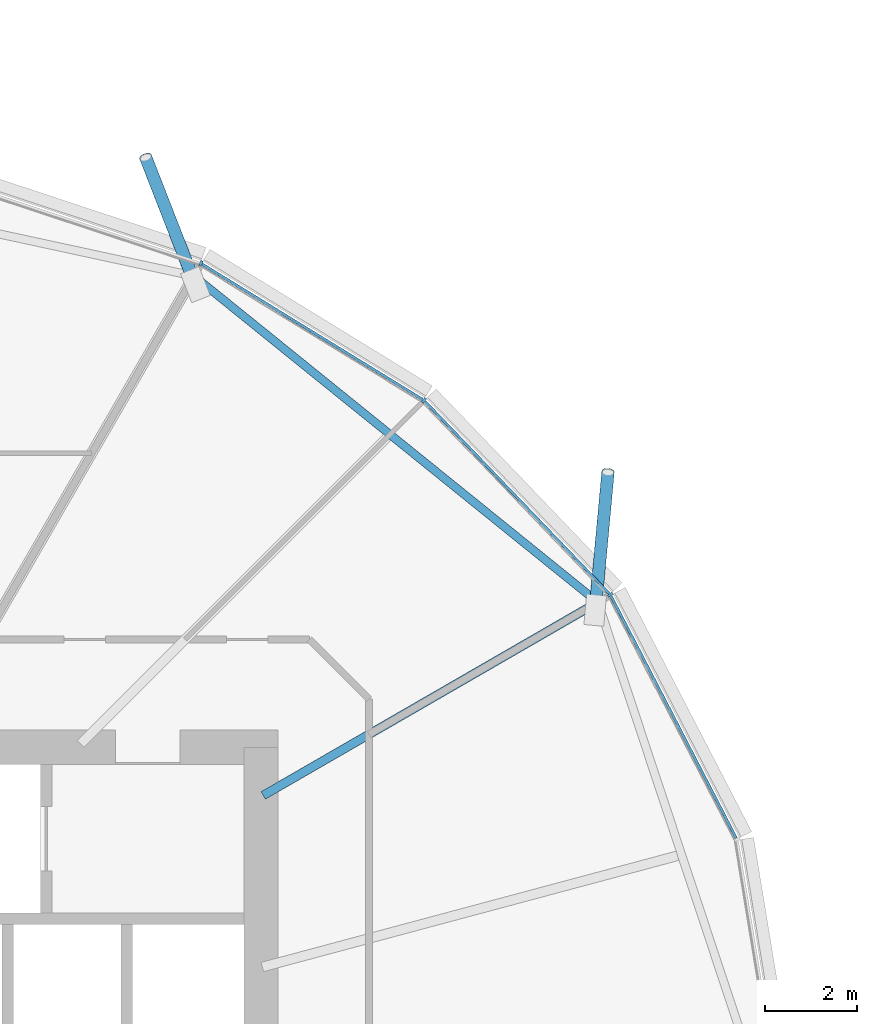
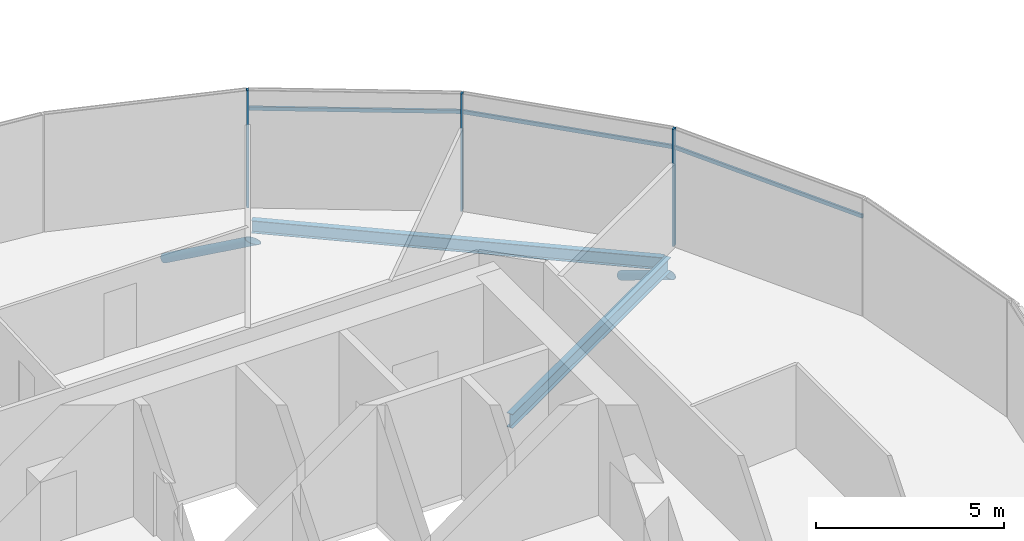
# One storey, part 11 of 39: 8 members, 2 beams, 1 element without a shape of its own.
"""IFC4 building model written with IfcOpenShell, lengths in metres."""

from ifc_helpers import new_model, si_unit, direction, frame, origin, origin_2d, place, context, subcontext, project, spatial, rectangle, hollow_circle, i_section, extrude, clip, halfspace, material, material_profile, profile_set, type_object, element, aggregate, save


model = new_model("IFC4")

# Units and contexts
model_context = context("Model", 3, precision=1e-05, world=origin(), true_north=direction((0.0, 1.0)))
body_context = subcontext(model_context, "Body", "Model", "MODEL_VIEW")
ifc_project = project(units=[si_unit("LENGTHUNIT", "METRE"), si_unit("AREAUNIT", "SQUARE_METRE"), si_unit("VOLUMEUNIT", "CUBIC_METRE"), si_unit("PLANEANGLEUNIT", "RADIAN"), si_unit("MASSUNIT", "GRAM", prefix="KILO")], contexts=[model_context])

# Site, building, storey
site_placement = place(None, origin())
site = spatial("IfcSite", under=ifc_project, at=site_placement, CompositionType="ELEMENT")
building_placement = place(site_placement, origin())
building = spatial("IfcBuilding", under=site, at=building_placement, Name="Rimbun Link Towers", CompositionType="ELEMENT")
storey_placement = place(building_placement, frame((0.0, 0.0, 112.0)))
storey = spatial("IfcBuildingStorey", under=building, at=storey_placement, Name="L27", CompositionType="ELEMENT", Elevation=112.0)

# Curtain wall, members
ifc_material_1 = material(Name="Aluminium 6063-T6 and low-iron glass", Category="aluminium")
curtain_wall_type = type_object("IfcCurtainWallType", Name="CW1-Z2 unitised vision wall (zone 2)", PredefinedType="NOTDEFINED", material=ifc_material_1)
curtain_wall_placement = place(storey_placement, origin())
curtain_wall = element("IfcCurtainWall", 1, at=curtain_wall_placement, inside=storey, type_object=curtain_wall_type, Name="CW1 L27 T1", PredefinedType="NOTDEFINED")
ifc_material_2 = material(Name="Aluminium 6063-T6", Category="aluminium")
ifc_material_profile_1 = material_profile(ifc_material_2, rectangle(XDim=0.1201171875, YDim=0.06005859375, at=origin_2d()), Name="MULLION 60X120")
ifc_profile_set_1 = profile_set([ifc_material_profile_1], Name="Aluminium 6063-T6")
member_type_1 = type_object("IfcMemberType", Name="CW1 mullion 60X120", PredefinedType="MULLION", material=ifc_profile_set_1)
member_1_placement = place(storey_placement, frame((-12.14990234375, 11.32275390625, 0.0), z_axis=(0.0, 0.0, 1.0), x_axis=(0.813347457753, 0.581778233494, 0.0)))
member_1 = element("IfcMember", 2, at=member_1_placement, type_object=member_type_1, Name="CW1 mullion", PredefinedType="MULLION", context=body_context, shape_type="SweptSolid", body=[
    extrude(rectangle(XDim=0.1201171875, YDim=0.06005859375, at=origin_2d()), origin(), (0.0, 0.0, 1.0), 3.800048828125),
])
member_2_placement = place(storey_placement, frame((-16.205810546875, 15.55322265625, 0.0), z_axis=(0.0, 0.0, 1.0), x_axis=(0.627670379428, 0.77847921924, 0.0)))
member_2 = element("IfcMember", 3, at=member_2_placement, type_object=member_type_1, Name="CW1 mullion", PredefinedType="MULLION", context=body_context, shape_type="SweptSolid", body=[
    extrude(rectangle(XDim=0.1201171875, YDim=0.06005859375, at=origin_2d()), origin(), (0.0, 0.0, 1.0), 3.800048828125),
])
member_3_placement = place(storey_placement, frame((-21.056640625, 18.531982421875, 0.0), z_axis=(0.0, 0.0, 1.0), x_axis=(0.421703066338, 0.906733987364, 0.0)))
member_3 = element("IfcMember", 4, at=member_3_placement, type_object=member_type_1, Name="CW1 mullion", PredefinedType="MULLION", context=body_context, shape_type="SweptSolid", body=[
    extrude(rectangle(XDim=0.1201171875, YDim=0.06005859375, at=origin_2d()), origin(), (0.0, 0.0, 1.0), 3.800048828125),
])
ifc_material_3 = material(Name="Aluminium 6063-T6", Category="aluminium")
ifc_material_profile_2 = material_profile(ifc_material_3, rectangle(XDim=0.06005859375, YDim=0.1201171875, at=origin_2d()), Name="TRANSOM 60X120")
ifc_profile_set_2 = profile_set([ifc_material_profile_2], Name="Aluminium 6063-T6")
member_type_2 = type_object("IfcMemberType", Name="CW1 transom 60X120", PredefinedType="USERDEFINED", material=ifc_profile_set_2)
member_4_placement = place(storey_placement, frame((-12.133544921875, 11.287841796875, 3.199951171875), z_axis=(0.459572084656, -0.888140472563, 0.0), x_axis=(0.888140472563, 0.459572084656, 0.0)))
member_4 = element("IfcMember", 5, at=member_4_placement, type_object=member_type_2, Name="CW1 transom", ObjectType="TRANSOM", PredefinedType="USERDEFINED", context=body_context, shape_type="SweptSolid", body=[
    extrude(rectangle(XDim=0.06005859375, YDim=0.1201171875, at=origin_2d()), origin(), (0.0, 0.0, 1.0), 5.921630859375),
])
member_5_placement = place(storey_placement, frame((-16.1806640625, 15.525146484375, 3.199951171875), z_axis=(0.692029109904, -0.721869594211, 0.0), x_axis=(0.721869594211, 0.692029109904, 0.0)))
member_5 = element("IfcMember", 6, at=member_5_placement, type_object=member_type_2, Name="CW1 transom", ObjectType="TRANSOM", PredefinedType="USERDEFINED", context=body_context, shape_type="SweptSolid", body=[
    extrude(rectangle(XDim=0.06005859375, YDim=0.1201171875, at=origin_2d()), origin(), (0.0, 0.0, 1.0), 5.784423828125),
])
member_6_placement = place(storey_placement, frame((-21.026123046875, 18.51123046875, 3.199951171875), z_axis=(0.852195022347, -0.523224276852, 0.0), x_axis=(0.523224276852, 0.852195022347, 0.0)))
member_6 = element("IfcMember", 7, at=member_6_placement, type_object=member_type_2, Name="CW1 transom", ObjectType="TRANSOM", PredefinedType="USERDEFINED", context=body_context, shape_type="SweptSolid", body=[
    extrude(rectangle(XDim=0.06005859375, YDim=0.1201171875, at=origin_2d()), origin(), (0.0, 0.0, 1.0), 5.617919921875),
])
aggregate(curtain_wall, [member_1, member_2, member_3, member_4, member_5, member_6])

# Members
ifc_material_4 = material(Name="Steel S355J2H", Category="steel")
ifc_material_profile_3 = material_profile(ifc_material_4, hollow_circle(Radius=0.136474609375, WallThickness=0.012451171875, at=origin_2d()), Name="CHS 273x12.5")
ifc_profile_set_3 = profile_set([ifc_material_profile_3], Name="Steel S355J2H")
member_type_3 = type_object("IfcMemberType", Name="Floor edge link CHS 273x12.5", PredefinedType="BRACE", material=ifc_profile_set_3)
member_7_placement = place(storey_placement, frame((-12.465087890625, 11.13427734375, -0.728515625), z_axis=(0.077766217446, 0.838289831586, -0.539650418033), x_axis=(-0.99572465219, 0.092371083247, 0.0)))
element("IfcMember", 8, at=member_7_placement, inside=storey, type_object=member_type_3, Name="Floor edge link T1 L27 02", PredefinedType="BRACE", context=body_context, shape_type="Clipping", body=[
    clip(extrude(hollow_circle(Radius=0.136474609375, WallThickness=0.012451171875, at=origin_2d()), frame((0.0, 0.0, -0.4443359375)), (0.0, 0.0, 1.0), 3.86328125), halfspace(frame((0.0, 0.0, -0.209716796875), z_axis=(0.0, 0.841889200736, -0.539650418033)), False)),
])
member_8_placement = place(storey_placement, frame((-21.234619140625, 18.213134765625, -0.87841796875), z_axis=(-0.307854732276, 0.789892355831, -0.530373010262), x_axis=(-0.931735704147, -0.363137133351, 0.0)))
element("IfcMember", 9, at=member_8_placement, inside=storey, type_object=member_type_3, Name="Floor edge link T1 L27 04", PredefinedType="BRACE", context=body_context, shape_type="Clipping", body=[
    clip(extrude(hollow_circle(Radius=0.136474609375, WallThickness=0.012451171875, at=origin_2d()), frame((0.0, 0.0, -0.455078125)), (0.0, 0.0, 1.0), 3.7939453125), halfspace(frame((0.0, 0.0, -0.214599609375), z_axis=(0.0, 0.847764395328, -0.530373010262)), False)),
])

# Beams
ifc_material_5 = material(Name="Steel S355J2", Category="steel")
ifc_material_profile_4 = material_profile(ifc_material_5, i_section(OverallWidth=0.177978515625, OverallDepth=0.406494140625, WebThickness=0.0078125, FlangeThickness=0.0126953125, at=origin_2d()), Name="UB 406x178x60")
ifc_profile_set_4 = profile_set([ifc_material_profile_4], Name="Steel S355J2")
beam_type_1 = type_object("IfcBeamType", Name="UB 406x178x60", PredefinedType="BEAM", material=ifc_profile_set_4)
beam_1_placement = place(storey_placement, frame((-12.501708984375, 11.2236328125, -0.36328125), z_axis=(-0.777963970016, 0.628308890083, 0.0), x_axis=(-0.628308890083, -0.777963970016, 0.0)))
element("IfcBeam", 10, at=beam_1_placement, inside=storey, type_object=beam_type_1, Name="Edge beam T1 L27 02-04", PredefinedType="BEAM", context=body_context, shape_type="SweptSolid", body=[
    extrude(i_section(OverallWidth=0.177978515625, OverallDepth=0.406494140625, WebThickness=0.0078125, FlangeThickness=0.0126953125, at=origin_2d()), origin(), (0.0, 0.0, 1.0), 11.076904296875),
])
ifc_material_6 = material(Name="Steel S355J2", Category="steel")
ifc_material_profile_5 = material_profile(ifc_material_6, i_section(OverallWidth=0.18994140625, OverallDepth=0.453369140625, WebThickness=0.008544921875, FlangeThickness=0.0126953125, at=origin_2d()), Name="UB 457x191x67")
ifc_profile_set_5 = profile_set([ifc_material_profile_5], Name="Steel S355J2")
beam_type_2 = type_object("IfcBeamType", Name="UB 457x191x67", PredefinedType="BEAM", material=ifc_profile_set_5)
beam_2_placement = place(storey_placement, frame((-19.70166015625, 6.9560546875, -0.38671875), z_axis=(0.866025500329, 0.49999983278, 0.0), x_axis=(-0.49999983278, 0.866025500329, 0.0)))
element("IfcBeam", 11, at=beam_2_placement, inside=storey, type_object=beam_type_2, Name="Radial beam T1 L27 02", PredefinedType="BEAM", context=body_context, shape_type="SweptSolid", body=[
    extrude(i_section(OverallWidth=0.18994140625, OverallDepth=0.453369140625, WebThickness=0.008544921875, FlangeThickness=0.0126953125, at=origin_2d()), origin(), (0.0, 0.0, 1.0), 8.40625),
])

save(model, "model.ifc")
